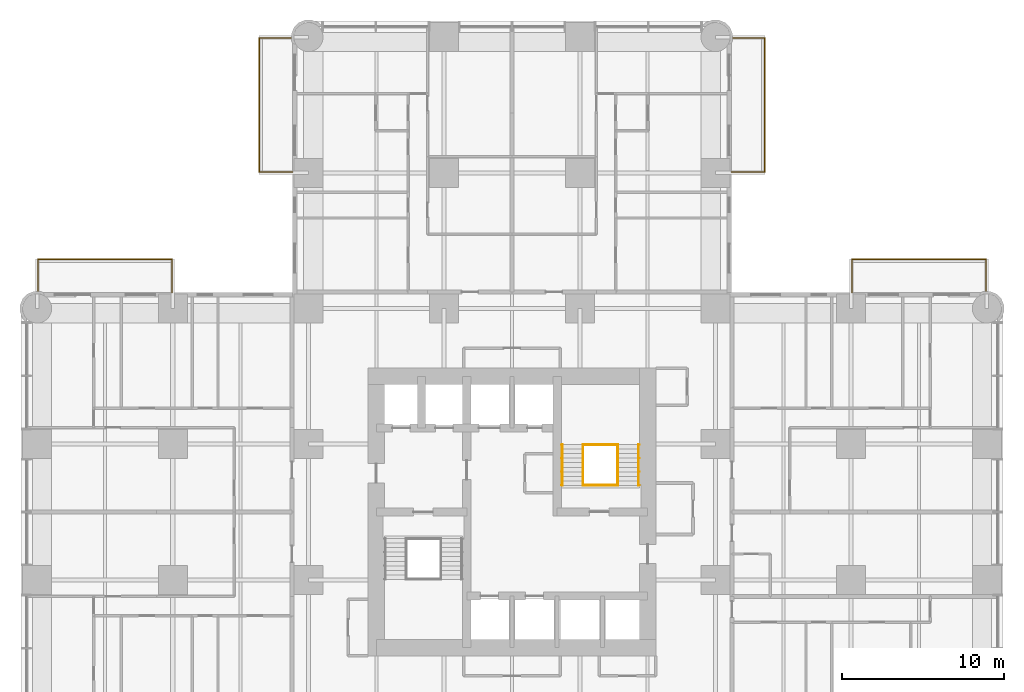
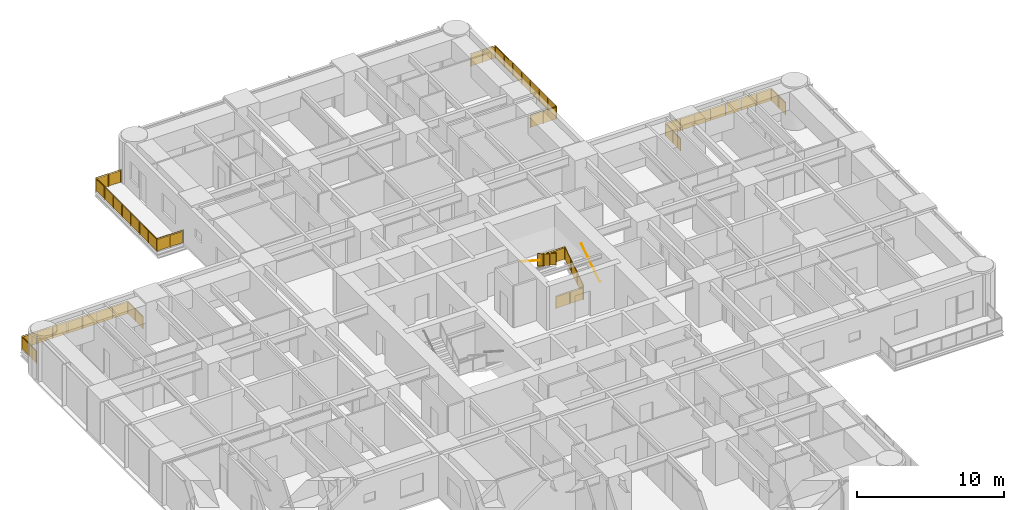
# One storey, part 17 of 17: 10 railings.
"""IFC4 building model written with IfcOpenShell, lengths in metres."""

from ifc_helpers import new_model, si_unit, direction, frame, origin, origin_2d, place, context, subcontext, project, spatial, polyline, circle, outline, extrude, material, constituent, constituent_set, type_object, element, save


model = new_model("IFC4")

# Units and contexts
model_context = context("Model", 3, precision=1e-05, world=origin(), true_north=direction((0.0, 1.0)))
body_context = subcontext(model_context, "Body", "Model", "MODEL_VIEW")
ifc_project = project(units=[si_unit("LENGTHUNIT", "METRE"), si_unit("AREAUNIT", "SQUARE_METRE"), si_unit("VOLUMEUNIT", "CUBIC_METRE"), si_unit("PLANEANGLEUNIT", "RADIAN"), si_unit("MASSUNIT", "GRAM", prefix="KILO")], contexts=[model_context])

# Site, building, storey
site_placement = place(None, origin())
site = spatial("IfcSite", under=ifc_project, at=site_placement, CompositionType="ELEMENT")
building_placement = place(site_placement, origin())
building = spatial("IfcBuilding", under=site, at=building_placement, Name="Torre Alcanfor", CompositionType="ELEMENT")
storey_placement = place(building_placement, frame((0.0, 0.0, 59.699951171875)))
storey = spatial("IfcBuildingStorey", under=building, at=storey_placement, Name="L14", CompositionType="ELEMENT", Elevation=59.699951171875)

# Railings
ifc_material_1 = material(Name="Laminated safety glass", Category="glass")
ifc_constituent_1 = constituent(ifc_material_1, Name="Infill")
ifc_material_2 = material(Name="Stainless steel ASTM A554 Grade MT 316L tube", Category="steel")
ifc_constituent_2 = constituent(ifc_material_2, Name="Posts and rail")
ifc_constituent_set = constituent_set(constituents=[ifc_constituent_1, ifc_constituent_2], Name="Balcony guard glass 1100")
railing_type_1 = type_object("IfcRailingType", Name="Balcony guard glass 1100", PredefinedType="BALUSTRADE", material=ifc_constituent_set)
railing_1_placement = place(storey_placement, frame((15.800048828125, 50.449951171875, 0.0)))
element("IfcRailing", 1, at=railing_1_placement, inside=storey, type_object=railing_type_1, Name="Balcony guard L14-N1", PredefinedType="BALUSTRADE", context=body_context, shape_type="SweptSolid", body=[
    extrude(circle(Radius=0.02392578125, at=origin_2d()), frame((0.0, 0.0, 1.076171875), z_axis=(-1.0, 0.0, 0.0), x_axis=(0.0, -1.0, 0.0)), (0.0, 0.0, 1.0), 2.050048828125),
    extrude(circle(Radius=0.02392578125, at=origin_2d()), frame((-2.050048828125, 0.0, 1.076171875), z_axis=(0.0, 1.0, 0.0), x_axis=(-1.0, 0.0, 0.0)), (0.0, 0.0, 1.0), 8.300048828125),
    extrude(circle(Radius=0.02392578125, at=origin_2d()), frame((-2.050048828125, 8.300048828125, 1.076171875), z_axis=(1.0, 0.0, 0.0), x_axis=(0.0, 1.0, 0.0)), (0.0, 0.0, 1.0), 1.968994140625),
    extrude(circle(Radius=0.02099609375, at=origin_2d()), origin(), (0.0, 0.0, 1.0), 1.052001953125),
    extrude(circle(Radius=0.02099609375, at=origin_2d()), frame((-1.02490234375, 0.0, 0.0)), (0.0, 0.0, 1.0), 1.052001953125),
    extrude(circle(Radius=0.02099609375, at=origin_2d()), frame((-2.050048828125, 0.0, 0.0)), (0.0, 0.0, 1.0), 1.052001953125),
    extrude(circle(Radius=0.02099609375, at=origin_2d()), frame((-2.050048828125, 1.185791015625, 0.0)), (0.0, 0.0, 1.0), 1.052001953125),
    extrude(circle(Radius=0.02099609375, at=origin_2d()), frame((-2.050048828125, 2.371337890625, 0.0)), (0.0, 0.0, 1.0), 1.052001953125),
    extrude(circle(Radius=0.02099609375, at=origin_2d()), frame((-2.050048828125, 3.55712890625, 0.0)), (0.0, 0.0, 1.0), 1.052001953125),
    extrude(circle(Radius=0.02099609375, at=origin_2d()), frame((-2.050048828125, 4.742919921875, 0.0)), (0.0, 0.0, 1.0), 1.052001953125),
    extrude(circle(Radius=0.02099609375, at=origin_2d()), frame((-2.050048828125, 5.9287109375, 0.0)), (0.0, 0.0, 1.0), 1.052001953125),
    extrude(circle(Radius=0.02099609375, at=origin_2d()), frame((-2.050048828125, 7.1142578125, 0.0)), (0.0, 0.0, 1.0), 1.052001953125),
    extrude(circle(Radius=0.02099609375, at=origin_2d()), frame((-2.050048828125, 8.300048828125, 0.0)), (0.0, 0.0, 1.0), 1.052001953125),
    extrude(circle(Radius=0.02099609375, at=origin_2d()), frame((-1.0654296875, 8.300048828125, 0.0)), (0.0, 0.0, 1.0), 1.052001953125),
    extrude(circle(Radius=0.02099609375, at=origin_2d()), frame((-0.0810546875, 8.300048828125, 0.0)), (0.0, 0.0, 1.0), 1.052001953125),
    extrude(outline(polyline([(0.041015625, 0.050048828125), (0.984130859375, 0.050048828125), (0.984130859375, 1.001953125), (0.041015625, 1.001953125), (0.041015625, 0.050048828125)])), frame((0.0, -0.005859375, 0.0), z_axis=(0.0, 1.0, 0.0), x_axis=(-1.0, 0.0, 0.0)), (0.0, 0.0, 1.0), 0.011962890625),
    extrude(outline(polyline([(1.06591796875, 0.050048828125), (2.009033203125, 0.050048828125), (2.009033203125, 1.001953125), (1.06591796875, 1.001953125), (1.06591796875, 0.050048828125)])), frame((0.0, -0.005859375, 0.0), z_axis=(0.0, 1.0, 0.0), x_axis=(-1.0, 0.0, 0.0)), (0.0, 0.0, 1.0), 0.011962890625),
    extrude(outline(polyline([(0.041015625, 0.050048828125), (1.144775390625, 0.050048828125), (1.144775390625, 1.001953125), (0.041015625, 1.001953125), (0.041015625, 0.050048828125)])), frame((-2.05615234375, 0.0, 0.0), z_axis=(1.0, 0.0, 0.0), x_axis=(0.0, 1.0, 0.0)), (0.0, 0.0, 1.0), 0.011962890625),
    extrude(outline(polyline([(1.226806640625, 0.050048828125), (2.330322265625, 0.050048828125), (2.330322265625, 1.001953125), (1.226806640625, 1.001953125), (1.226806640625, 0.050048828125)])), frame((-2.05615234375, 0.0, 0.0), z_axis=(1.0, 0.0, 0.0), x_axis=(0.0, 1.0, 0.0)), (0.0, 0.0, 1.0), 0.011962890625),
    extrude(outline(polyline([(2.412353515625, 0.050048828125), (3.51611328125, 0.050048828125), (3.51611328125, 1.001953125), (2.412353515625, 1.001953125), (2.412353515625, 0.050048828125)])), frame((-2.05615234375, 0.0, 0.0), z_axis=(1.0, 0.0, 0.0), x_axis=(0.0, 1.0, 0.0)), (0.0, 0.0, 1.0), 0.011962890625),
    extrude(outline(polyline([(3.59814453125, 0.050048828125), (4.701904296875, 0.050048828125), (4.701904296875, 1.001953125), (3.59814453125, 1.001953125), (3.59814453125, 0.050048828125)])), frame((-2.05615234375, 0.0, 0.0), z_axis=(1.0, 0.0, 0.0), x_axis=(0.0, 1.0, 0.0)), (0.0, 0.0, 1.0), 0.011962890625),
    extrude(outline(polyline([(4.783935546875, 0.050048828125), (5.8876953125, 0.050048828125), (5.8876953125, 1.001953125), (4.783935546875, 1.001953125), (4.783935546875, 0.050048828125)])), frame((-2.05615234375, 0.0, 0.0), z_axis=(1.0, 0.0, 0.0), x_axis=(0.0, 1.0, 0.0)), (0.0, 0.0, 1.0), 0.011962890625),
    extrude(outline(polyline([(5.9697265625, 0.050048828125), (7.0732421875, 0.050048828125), (7.0732421875, 1.001953125), (5.9697265625, 1.001953125), (5.9697265625, 0.050048828125)])), frame((-2.05615234375, 0.0, 0.0), z_axis=(1.0, 0.0, 0.0), x_axis=(0.0, 1.0, 0.0)), (0.0, 0.0, 1.0), 0.011962890625),
    extrude(outline(polyline([(7.1552734375, 0.050048828125), (8.259033203125, 0.050048828125), (8.259033203125, 1.001953125), (7.1552734375, 1.001953125), (7.1552734375, 0.050048828125)])), frame((-2.05615234375, 0.0, 0.0), z_axis=(1.0, 0.0, 0.0), x_axis=(0.0, 1.0, 0.0)), (0.0, 0.0, 1.0), 0.011962890625),
    extrude(outline(polyline([(0.041015625, 0.050048828125), (0.943603515625, 0.050048828125), (0.943603515625, 1.001953125), (0.041015625, 1.001953125), (0.041015625, 0.050048828125)])), frame((-2.050048828125, 8.30615234375, 0.0), z_axis=(0.0, -1.0, 0.0), x_axis=(1.0, 0.0, 0.0)), (0.0, 0.0, 1.0), 0.011962890625),
    extrude(outline(polyline([(1.025390625, 0.050048828125), (1.927978515625, 0.050048828125), (1.927978515625, 1.001953125), (1.025390625, 1.001953125), (1.025390625, 0.050048828125)])), frame((-2.050048828125, 8.30615234375, 0.0), z_axis=(0.0, -1.0, 0.0), x_axis=(1.0, 0.0, 0.0)), (0.0, 0.0, 1.0), 0.011962890625),
])
railing_2_placement = place(storey_placement, frame((43.0, 50.449951171875, 0.0)))
element("IfcRailing", 2, at=railing_2_placement, inside=storey, type_object=railing_type_1, Name="Balcony guard L14-N2", PredefinedType="BALUSTRADE", context=body_context, shape_type="SweptSolid", body=[
    extrude(circle(Radius=0.02392578125, at=origin_2d()), frame((0.0, 0.0, 1.076171875), z_axis=(1.0, 0.0, 0.0), x_axis=(0.0, 1.0, 0.0)), (0.0, 0.0, 1.0), 2.050048828125),
    extrude(circle(Radius=0.02392578125, at=origin_2d()), frame((2.050048828125, 0.0, 1.076171875), z_axis=(0.0, 1.0, 0.0), x_axis=(-1.0, 0.0, 0.0)), (0.0, 0.0, 1.0), 8.300048828125),
    extrude(circle(Radius=0.02392578125, at=origin_2d()), frame((2.050048828125, 8.300048828125, 1.076171875), z_axis=(-1.0, 0.0, 0.0), x_axis=(0.0, -1.0, 0.0)), (0.0, 0.0, 1.0), 1.968994140625),
    extrude(circle(Radius=0.02099609375, at=origin_2d()), origin(), (0.0, 0.0, 1.0), 1.052001953125),
    extrude(circle(Radius=0.02099609375, at=origin_2d()), frame((1.02490234375, 0.0, 0.0)), (0.0, 0.0, 1.0), 1.052001953125),
    extrude(circle(Radius=0.02099609375, at=origin_2d()), frame((2.050048828125, 0.0, 0.0)), (0.0, 0.0, 1.0), 1.052001953125),
    extrude(circle(Radius=0.02099609375, at=origin_2d()), frame((2.050048828125, 1.185791015625, 0.0)), (0.0, 0.0, 1.0), 1.052001953125),
    extrude(circle(Radius=0.02099609375, at=origin_2d()), frame((2.050048828125, 2.371337890625, 0.0)), (0.0, 0.0, 1.0), 1.052001953125),
    extrude(circle(Radius=0.02099609375, at=origin_2d()), frame((2.050048828125, 3.55712890625, 0.0)), (0.0, 0.0, 1.0), 1.052001953125),
    extrude(circle(Radius=0.02099609375, at=origin_2d()), frame((2.050048828125, 4.742919921875, 0.0)), (0.0, 0.0, 1.0), 1.052001953125),
    extrude(circle(Radius=0.02099609375, at=origin_2d()), frame((2.050048828125, 5.9287109375, 0.0)), (0.0, 0.0, 1.0), 1.052001953125),
    extrude(circle(Radius=0.02099609375, at=origin_2d()), frame((2.050048828125, 7.1142578125, 0.0)), (0.0, 0.0, 1.0), 1.052001953125),
    extrude(circle(Radius=0.02099609375, at=origin_2d()), frame((2.050048828125, 8.300048828125, 0.0)), (0.0, 0.0, 1.0), 1.052001953125),
    extrude(circle(Radius=0.02099609375, at=origin_2d()), frame((1.0654296875, 8.300048828125, 0.0)), (0.0, 0.0, 1.0), 1.052001953125),
    extrude(circle(Radius=0.02099609375, at=origin_2d()), frame((0.0810546875, 8.300048828125, 0.0)), (0.0, 0.0, 1.0), 1.052001953125),
    extrude(outline(polyline([(0.041015625, 0.050048828125), (0.984130859375, 0.050048828125), (0.984130859375, 1.001953125), (0.041015625, 1.001953125), (0.041015625, 0.050048828125)])), frame((0.0, 0.005859375, 0.0), z_axis=(0.0, -1.0, 0.0), x_axis=(1.0, 0.0, 0.0)), (0.0, 0.0, 1.0), 0.011962890625),
    extrude(outline(polyline([(1.06591796875, 0.050048828125), (2.009033203125, 0.050048828125), (2.009033203125, 1.001953125), (1.06591796875, 1.001953125), (1.06591796875, 0.050048828125)])), frame((0.0, 0.005859375, 0.0), z_axis=(0.0, -1.0, 0.0), x_axis=(1.0, 0.0, 0.0)), (0.0, 0.0, 1.0), 0.011962890625),
    extrude(outline(polyline([(0.041015625, 0.050048828125), (1.144775390625, 0.050048828125), (1.144775390625, 1.001953125), (0.041015625, 1.001953125), (0.041015625, 0.050048828125)])), frame((2.0439453125, 0.0, 0.0), z_axis=(1.0, 0.0, 0.0), x_axis=(0.0, 1.0, 0.0)), (0.0, 0.0, 1.0), 0.011962890625),
    extrude(outline(polyline([(1.226806640625, 0.050048828125), (2.330322265625, 0.050048828125), (2.330322265625, 1.001953125), (1.226806640625, 1.001953125), (1.226806640625, 0.050048828125)])), frame((2.0439453125, 0.0, 0.0), z_axis=(1.0, 0.0, 0.0), x_axis=(0.0, 1.0, 0.0)), (0.0, 0.0, 1.0), 0.011962890625),
    extrude(outline(polyline([(2.412353515625, 0.050048828125), (3.51611328125, 0.050048828125), (3.51611328125, 1.001953125), (2.412353515625, 1.001953125), (2.412353515625, 0.050048828125)])), frame((2.0439453125, 0.0, 0.0), z_axis=(1.0, 0.0, 0.0), x_axis=(0.0, 1.0, 0.0)), (0.0, 0.0, 1.0), 0.011962890625),
    extrude(outline(polyline([(3.59814453125, 0.050048828125), (4.701904296875, 0.050048828125), (4.701904296875, 1.001953125), (3.59814453125, 1.001953125), (3.59814453125, 0.050048828125)])), frame((2.0439453125, 0.0, 0.0), z_axis=(1.0, 0.0, 0.0), x_axis=(0.0, 1.0, 0.0)), (0.0, 0.0, 1.0), 0.011962890625),
    extrude(outline(polyline([(4.783935546875, 0.050048828125), (5.8876953125, 0.050048828125), (5.8876953125, 1.001953125), (4.783935546875, 1.001953125), (4.783935546875, 0.050048828125)])), frame((2.0439453125, 0.0, 0.0), z_axis=(1.0, 0.0, 0.0), x_axis=(0.0, 1.0, 0.0)), (0.0, 0.0, 1.0), 0.011962890625),
    extrude(outline(polyline([(5.9697265625, 0.050048828125), (7.0732421875, 0.050048828125), (7.0732421875, 1.001953125), (5.9697265625, 1.001953125), (5.9697265625, 0.050048828125)])), frame((2.0439453125, 0.0, 0.0), z_axis=(1.0, 0.0, 0.0), x_axis=(0.0, 1.0, 0.0)), (0.0, 0.0, 1.0), 0.011962890625),
    extrude(outline(polyline([(7.1552734375, 0.050048828125), (8.259033203125, 0.050048828125), (8.259033203125, 1.001953125), (7.1552734375, 1.001953125), (7.1552734375, 0.050048828125)])), frame((2.0439453125, 0.0, 0.0), z_axis=(1.0, 0.0, 0.0), x_axis=(0.0, 1.0, 0.0)), (0.0, 0.0, 1.0), 0.011962890625),
    extrude(outline(polyline([(0.041015625, 0.050048828125), (0.943603515625, 0.050048828125), (0.943603515625, 1.001953125), (0.041015625, 1.001953125), (0.041015625, 0.050048828125)])), frame((2.050048828125, 8.2939453125, 0.0), z_axis=(0.0, 1.0, 0.0), x_axis=(-1.0, 0.0, 0.0)), (0.0, 0.0, 1.0), 0.011962890625),
    extrude(outline(polyline([(1.025390625, 0.050048828125), (1.927978515625, 0.050048828125), (1.927978515625, 1.001953125), (1.025390625, 1.001953125), (1.025390625, 0.050048828125)])), frame((2.050048828125, 8.2939453125, 0.0), z_axis=(0.0, 1.0, 0.0), x_axis=(-1.0, 0.0, 0.0)), (0.0, 0.0, 1.0), 0.011962890625),
])
railing_3_placement = place(storey_placement, frame((50.449951171875, 43.0, 0.0)))
element("IfcRailing", 3, at=railing_3_placement, inside=storey, type_object=railing_type_1, Name="Balcony guard L14-E1", PredefinedType="BALUSTRADE", context=body_context, shape_type="SweptSolid", body=[
    extrude(circle(Radius=0.02392578125, at=origin_2d()), frame((0.0, 0.0, 1.076171875), z_axis=(0.0, 1.0, 0.0), x_axis=(-1.0, 0.0, 0.0)), (0.0, 0.0, 1.0), 2.050048828125),
    extrude(circle(Radius=0.02392578125, at=origin_2d()), frame((0.0, 2.050048828125, 1.076171875), z_axis=(1.0, 0.0, 0.0), x_axis=(0.0, 1.0, 0.0)), (0.0, 0.0, 1.0), 8.300048828125),
    extrude(circle(Radius=0.02392578125, at=origin_2d()), frame((8.300048828125, 2.050048828125, 1.076171875), z_axis=(0.0, -1.0, 0.0), x_axis=(1.0, 0.0, 0.0)), (0.0, 0.0, 1.0), 1.968994140625),
    extrude(circle(Radius=0.02099609375, at=origin_2d()), origin(), (0.0, 0.0, 1.0), 1.052001953125),
    extrude(circle(Radius=0.02099609375, at=origin_2d()), frame((0.0, 1.02490234375, 0.0)), (0.0, 0.0, 1.0), 1.052001953125),
    extrude(circle(Radius=0.02099609375, at=origin_2d()), frame((0.0, 2.050048828125, 0.0)), (0.0, 0.0, 1.0), 1.052001953125),
    extrude(circle(Radius=0.02099609375, at=origin_2d()), frame((1.185791015625, 2.050048828125, 0.0)), (0.0, 0.0, 1.0), 1.052001953125),
    extrude(circle(Radius=0.02099609375, at=origin_2d()), frame((2.371337890625, 2.050048828125, 0.0)), (0.0, 0.0, 1.0), 1.052001953125),
    extrude(circle(Radius=0.02099609375, at=origin_2d()), frame((3.55712890625, 2.050048828125, 0.0)), (0.0, 0.0, 1.0), 1.052001953125),
    extrude(circle(Radius=0.02099609375, at=origin_2d()), frame((4.742919921875, 2.050048828125, 0.0)), (0.0, 0.0, 1.0), 1.052001953125),
    extrude(circle(Radius=0.02099609375, at=origin_2d()), frame((5.9287109375, 2.050048828125, 0.0)), (0.0, 0.0, 1.0), 1.052001953125),
    extrude(circle(Radius=0.02099609375, at=origin_2d()), frame((7.1142578125, 2.050048828125, 0.0)), (0.0, 0.0, 1.0), 1.052001953125),
    extrude(circle(Radius=0.02099609375, at=origin_2d()), frame((8.300048828125, 2.050048828125, 0.0)), (0.0, 0.0, 1.0), 1.052001953125),
    extrude(circle(Radius=0.02099609375, at=origin_2d()), frame((8.300048828125, 1.0654296875, 0.0)), (0.0, 0.0, 1.0), 1.052001953125),
    extrude(circle(Radius=0.02099609375, at=origin_2d()), frame((8.300048828125, 0.0810546875, 0.0)), (0.0, 0.0, 1.0), 1.052001953125),
    extrude(outline(polyline([(0.041015625, 0.050048828125), (0.984130859375, 0.050048828125), (0.984130859375, 1.001953125), (0.041015625, 1.001953125), (0.041015625, 0.050048828125)])), frame((-0.005859375, 0.0, 0.0), z_axis=(1.0, 0.0, 0.0), x_axis=(0.0, 1.0, 0.0)), (0.0, 0.0, 1.0), 0.011962890625),
    extrude(outline(polyline([(1.06591796875, 0.050048828125), (2.009033203125, 0.050048828125), (2.009033203125, 1.001953125), (1.06591796875, 1.001953125), (1.06591796875, 0.050048828125)])), frame((-0.005859375, 0.0, 0.0), z_axis=(1.0, 0.0, 0.0), x_axis=(0.0, 1.0, 0.0)), (0.0, 0.0, 1.0), 0.011962890625),
    extrude(outline(polyline([(0.041015625, 0.050048828125), (1.144775390625, 0.050048828125), (1.144775390625, 1.001953125), (0.041015625, 1.001953125), (0.041015625, 0.050048828125)])), frame((0.0, 2.05615234375, 0.0), z_axis=(0.0, -1.0, 0.0), x_axis=(1.0, 0.0, 0.0)), (0.0, 0.0, 1.0), 0.011962890625),
    extrude(outline(polyline([(1.226806640625, 0.050048828125), (2.330322265625, 0.050048828125), (2.330322265625, 1.001953125), (1.226806640625, 1.001953125), (1.226806640625, 0.050048828125)])), frame((0.0, 2.05615234375, 0.0), z_axis=(0.0, -1.0, 0.0), x_axis=(1.0, 0.0, 0.0)), (0.0, 0.0, 1.0), 0.011962890625),
    extrude(outline(polyline([(2.412353515625, 0.050048828125), (3.51611328125, 0.050048828125), (3.51611328125, 1.001953125), (2.412353515625, 1.001953125), (2.412353515625, 0.050048828125)])), frame((0.0, 2.05615234375, 0.0), z_axis=(0.0, -1.0, 0.0), x_axis=(1.0, 0.0, 0.0)), (0.0, 0.0, 1.0), 0.011962890625),
    extrude(outline(polyline([(3.59814453125, 0.050048828125), (4.701904296875, 0.050048828125), (4.701904296875, 1.001953125), (3.59814453125, 1.001953125), (3.59814453125, 0.050048828125)])), frame((0.0, 2.05615234375, 0.0), z_axis=(0.0, -1.0, 0.0), x_axis=(1.0, 0.0, 0.0)), (0.0, 0.0, 1.0), 0.011962890625),
    extrude(outline(polyline([(4.783935546875, 0.050048828125), (5.8876953125, 0.050048828125), (5.8876953125, 1.001953125), (4.783935546875, 1.001953125), (4.783935546875, 0.050048828125)])), frame((0.0, 2.05615234375, 0.0), z_axis=(0.0, -1.0, 0.0), x_axis=(1.0, 0.0, 0.0)), (0.0, 0.0, 1.0), 0.011962890625),
    extrude(outline(polyline([(5.9697265625, 0.050048828125), (7.0732421875, 0.050048828125), (7.0732421875, 1.001953125), (5.9697265625, 1.001953125), (5.9697265625, 0.050048828125)])), frame((0.0, 2.05615234375, 0.0), z_axis=(0.0, -1.0, 0.0), x_axis=(1.0, 0.0, 0.0)), (0.0, 0.0, 1.0), 0.011962890625),
    extrude(outline(polyline([(7.1552734375, 0.050048828125), (8.259033203125, 0.050048828125), (8.259033203125, 1.001953125), (7.1552734375, 1.001953125), (7.1552734375, 0.050048828125)])), frame((0.0, 2.05615234375, 0.0), z_axis=(0.0, -1.0, 0.0), x_axis=(1.0, 0.0, 0.0)), (0.0, 0.0, 1.0), 0.011962890625),
    extrude(outline(polyline([(0.041015625, 0.050048828125), (0.943603515625, 0.050048828125), (0.943603515625, 1.001953125), (0.041015625, 1.001953125), (0.041015625, 0.050048828125)])), frame((8.30615234375, 2.050048828125, 0.0), z_axis=(-1.0, 0.0, 0.0), x_axis=(0.0, -1.0, 0.0)), (0.0, 0.0, 1.0), 0.011962890625),
    extrude(outline(polyline([(1.025390625, 0.050048828125), (1.927978515625, 0.050048828125), (1.927978515625, 1.001953125), (1.025390625, 1.001953125), (1.025390625, 0.050048828125)])), frame((8.30615234375, 2.050048828125, 0.0), z_axis=(-1.0, 0.0, 0.0), x_axis=(0.0, -1.0, 0.0)), (0.0, 0.0, 1.0), 0.011962890625),
])
railing_4_placement = place(storey_placement, frame((8.35009765625, 43.0, 0.0)))
element("IfcRailing", 4, at=railing_4_placement, inside=storey, type_object=railing_type_1, Name="Balcony guard L14-W2", PredefinedType="BALUSTRADE", context=body_context, shape_type="SweptSolid", body=[
    extrude(circle(Radius=0.02392578125, at=origin_2d()), frame((0.0, 0.0, 1.076171875), z_axis=(0.0, 1.0, 0.0), x_axis=(-1.0, 0.0, 0.0)), (0.0, 0.0, 1.0), 2.050048828125),
    extrude(circle(Radius=0.02392578125, at=origin_2d()), frame((0.0, 2.050048828125, 1.076171875), z_axis=(-1.0, 0.0, 0.0), x_axis=(0.0, -1.0, 0.0)), (0.0, 0.0, 1.0), 8.300048828125),
    extrude(circle(Radius=0.02392578125, at=origin_2d()), frame((-8.300048828125, 2.050048828125, 1.076171875), z_axis=(0.0, -1.0, 0.0), x_axis=(1.0, 0.0, 0.0)), (0.0, 0.0, 1.0), 1.968994140625),
    extrude(circle(Radius=0.02099609375, at=origin_2d()), origin(), (0.0, 0.0, 1.0), 1.052001953125),
    extrude(circle(Radius=0.02099609375, at=origin_2d()), frame((0.0, 1.02490234375, 0.0)), (0.0, 0.0, 1.0), 1.052001953125),
    extrude(circle(Radius=0.02099609375, at=origin_2d()), frame((0.0, 2.050048828125, 0.0)), (0.0, 0.0, 1.0), 1.052001953125),
    extrude(circle(Radius=0.02099609375, at=origin_2d()), frame((-1.185791015625, 2.050048828125, 0.0)), (0.0, 0.0, 1.0), 1.052001953125),
    extrude(circle(Radius=0.02099609375, at=origin_2d()), frame((-2.371337890625, 2.050048828125, 0.0)), (0.0, 0.0, 1.0), 1.052001953125),
    extrude(circle(Radius=0.02099609375, at=origin_2d()), frame((-3.55712890625, 2.050048828125, 0.0)), (0.0, 0.0, 1.0), 1.052001953125),
    extrude(circle(Radius=0.02099609375, at=origin_2d()), frame((-4.742919921875, 2.050048828125, 0.0)), (0.0, 0.0, 1.0), 1.052001953125),
    extrude(circle(Radius=0.02099609375, at=origin_2d()), frame((-5.9287109375, 2.050048828125, 0.0)), (0.0, 0.0, 1.0), 1.052001953125),
    extrude(circle(Radius=0.02099609375, at=origin_2d()), frame((-7.1142578125, 2.050048828125, 0.0)), (0.0, 0.0, 1.0), 1.052001953125),
    extrude(circle(Radius=0.02099609375, at=origin_2d()), frame((-8.300048828125, 2.050048828125, 0.0)), (0.0, 0.0, 1.0), 1.052001953125),
    extrude(circle(Radius=0.02099609375, at=origin_2d()), frame((-8.300048828125, 1.0654296875, 0.0)), (0.0, 0.0, 1.0), 1.052001953125),
    extrude(circle(Radius=0.02099609375, at=origin_2d()), frame((-8.300048828125, 0.0810546875, 0.0)), (0.0, 0.0, 1.0), 1.052001953125),
    extrude(outline(polyline([(0.041015625, 0.050048828125), (0.984130859375, 0.050048828125), (0.984130859375, 1.001953125), (0.041015625, 1.001953125), (0.041015625, 0.050048828125)])), frame((-0.005859375, 0.0, 0.0), z_axis=(1.0, 0.0, 0.0), x_axis=(0.0, 1.0, 0.0)), (0.0, 0.0, 1.0), 0.011962890625),
    extrude(outline(polyline([(1.06591796875, 0.050048828125), (2.009033203125, 0.050048828125), (2.009033203125, 1.001953125), (1.06591796875, 1.001953125), (1.06591796875, 0.050048828125)])), frame((-0.005859375, 0.0, 0.0), z_axis=(1.0, 0.0, 0.0), x_axis=(0.0, 1.0, 0.0)), (0.0, 0.0, 1.0), 0.011962890625),
    extrude(outline(polyline([(0.041015625, 0.050048828125), (1.144775390625, 0.050048828125), (1.144775390625, 1.001953125), (0.041015625, 1.001953125), (0.041015625, 0.050048828125)])), frame((0.0, 2.0439453125, 0.0), z_axis=(0.0, 1.0, 0.0), x_axis=(-1.0, 0.0, 0.0)), (0.0, 0.0, 1.0), 0.011962890625),
    extrude(outline(polyline([(1.226806640625, 0.050048828125), (2.330322265625, 0.050048828125), (2.330322265625, 1.001953125), (1.226806640625, 1.001953125), (1.226806640625, 0.050048828125)])), frame((0.0, 2.0439453125, 0.0), z_axis=(0.0, 1.0, 0.0), x_axis=(-1.0, 0.0, 0.0)), (0.0, 0.0, 1.0), 0.011962890625),
    extrude(outline(polyline([(2.412353515625, 0.050048828125), (3.51611328125, 0.050048828125), (3.51611328125, 1.001953125), (2.412353515625, 1.001953125), (2.412353515625, 0.050048828125)])), frame((0.0, 2.0439453125, 0.0), z_axis=(0.0, 1.0, 0.0), x_axis=(-1.0, 0.0, 0.0)), (0.0, 0.0, 1.0), 0.011962890625),
    extrude(outline(polyline([(3.59814453125, 0.050048828125), (4.701904296875, 0.050048828125), (4.701904296875, 1.001953125), (3.59814453125, 1.001953125), (3.59814453125, 0.050048828125)])), frame((0.0, 2.0439453125, 0.0), z_axis=(0.0, 1.0, 0.0), x_axis=(-1.0, 0.0, 0.0)), (0.0, 0.0, 1.0), 0.011962890625),
    extrude(outline(polyline([(4.783935546875, 0.050048828125), (5.8876953125, 0.050048828125), (5.8876953125, 1.001953125), (4.783935546875, 1.001953125), (4.783935546875, 0.050048828125)])), frame((0.0, 2.0439453125, 0.0), z_axis=(0.0, 1.0, 0.0), x_axis=(-1.0, 0.0, 0.0)), (0.0, 0.0, 1.0), 0.011962890625),
    extrude(outline(polyline([(5.9697265625, 0.050048828125), (7.0732421875, 0.050048828125), (7.0732421875, 1.001953125), (5.9697265625, 1.001953125), (5.9697265625, 0.050048828125)])), frame((0.0, 2.0439453125, 0.0), z_axis=(0.0, 1.0, 0.0), x_axis=(-1.0, 0.0, 0.0)), (0.0, 0.0, 1.0), 0.011962890625),
    extrude(outline(polyline([(7.1552734375, 0.050048828125), (8.259033203125, 0.050048828125), (8.259033203125, 1.001953125), (7.1552734375, 1.001953125), (7.1552734375, 0.050048828125)])), frame((0.0, 2.0439453125, 0.0), z_axis=(0.0, 1.0, 0.0), x_axis=(-1.0, 0.0, 0.0)), (0.0, 0.0, 1.0), 0.011962890625),
    extrude(outline(polyline([(0.041015625, 0.050048828125), (0.943603515625, 0.050048828125), (0.943603515625, 1.001953125), (0.041015625, 1.001953125), (0.041015625, 0.050048828125)])), frame((-8.2939453125, 2.050048828125, 0.0), z_axis=(-1.0, 0.0, 0.0), x_axis=(0.0, -1.0, 0.0)), (0.0, 0.0, 1.0), 0.011962890625),
    extrude(outline(polyline([(1.025390625, 0.050048828125), (1.927978515625, 0.050048828125), (1.927978515625, 1.001953125), (1.025390625, 1.001953125), (1.025390625, 0.050048828125)])), frame((-8.2939453125, 2.050048828125, 0.0), z_axis=(-1.0, 0.0, 0.0), x_axis=(0.0, -1.0, 0.0)), (0.0, 0.0, 1.0), 0.011962890625),
])
ifc_material_3 = material(Name="Steel ASTM A500 Grade C hollow sections", Category="steel")
railing_type_2 = type_object("IfcRailingType", Name="Stair guard and handrail 1100", PredefinedType="GUARDRAIL", material=ifc_material_3)
railing_5_placement = place(storey_placement, frame((35.949951171875, 31.050048828125, 0.179931640625)))
element("IfcRailing", 5, at=railing_5_placement, inside=storey, type_object=railing_type_2, Name="Stair guard S2 L14 flight 1", PredefinedType="GUARDRAIL", context=body_context, shape_type="SweptSolid", body=[
    extrude(circle(Radius=0.02392578125, at=origin_2d()), frame((0.0, 0.0, 1.076171875), z_axis=(0.0, 0.841162588446, 0.540782303519), x_axis=(-1.0, 0.0, 0.0)), (0.0, 0.0, 1.0), 2.995849609375),
    extrude(circle(Radius=0.02099609375, at=origin_2d()), origin(), (0.0, 0.0, 1.0), 1.052001953125),
    extrude(circle(Radius=0.02099609375, at=origin_2d()), frame((0.0, 0.840087890625, 0.5400390625)), (0.0, 0.0, 1.0), 1.052001953125),
    extrude(circle(Radius=0.02099609375, at=origin_2d()), frame((0.0, 1.679931640625, 1.080078125)), (0.0, 0.0, 1.0), 1.052001953125),
    extrude(circle(Radius=0.02099609375, at=origin_2d()), frame((0.0, 2.52001953125, 1.6201171875)), (0.0, 0.0, 1.0), 1.052001953125),
    extrude(outline(polyline([(0.041015625, 0.076416015625), (0.799072265625, 0.563720703125), (0.799072265625, 1.515625), (0.041015625, 1.0283203125), (0.041015625, 0.076416015625)])), frame((-0.005859375, 0.0, 0.0), z_axis=(1.0, 0.0, 0.0), x_axis=(0.0, 1.0, 0.0)), (0.0, 0.0, 1.0), 0.011962890625),
    extrude(outline(polyline([(0.881103515625, 0.616455078125), (1.638916015625, 1.103759765625), (1.638916015625, 2.0556640625), (0.881103515625, 1.568359375), (0.881103515625, 0.616455078125)])), frame((-0.005859375, 0.0, 0.0), z_axis=(1.0, 0.0, 0.0), x_axis=(0.0, 1.0, 0.0)), (0.0, 0.0, 1.0), 0.011962890625),
    extrude(outline(polyline([(1.720947265625, 1.156494140625), (2.47900390625, 1.643798828125), (2.47900390625, 2.595703125), (1.720947265625, 2.1083984375), (1.720947265625, 1.156494140625)])), frame((-0.005859375, 0.0, 0.0), z_axis=(1.0, 0.0, 0.0), x_axis=(0.0, 1.0, 0.0)), (0.0, 0.0, 1.0), 0.011962890625),
])
railing_6_placement = place(storey_placement, frame((33.800048828125, 33.570068359375, 1.97998046875)))
element("IfcRailing", 6, at=railing_6_placement, inside=storey, type_object=railing_type_2, Name="Stair guard S2 L14 flight 2", PredefinedType="GUARDRAIL", context=body_context, shape_type="SweptSolid", body=[
    extrude(circle(Radius=0.02392578125, at=origin_2d()), frame((0.0, 0.0, 1.076171875), z_axis=(0.0, -0.841162588446, 0.540782303519), x_axis=(1.0, 0.0, 0.0)), (0.0, 0.0, 1.0), 2.995849609375),
    extrude(circle(Radius=0.02099609375, at=origin_2d()), origin(), (0.0, 0.0, 1.0), 1.052001953125),
    extrude(circle(Radius=0.02099609375, at=origin_2d()), frame((0.0, -0.840087890625, 0.5400390625)), (0.0, 0.0, 1.0), 1.052001953125),
    extrude(circle(Radius=0.02099609375, at=origin_2d()), frame((0.0, -1.679931640625, 1.080078125)), (0.0, 0.0, 1.0), 1.052001953125),
    extrude(circle(Radius=0.02099609375, at=origin_2d()), frame((0.0, -2.52001953125, 1.6201171875)), (0.0, 0.0, 1.0), 1.052001953125),
    extrude(outline(polyline([(0.041015625, 0.076416015625), (0.799072265625, 0.563720703125), (0.799072265625, 1.515625), (0.041015625, 1.0283203125), (0.041015625, 0.076416015625)])), frame((0.005859375, 0.0, 0.0), z_axis=(-1.0, 0.0, 0.0), x_axis=(0.0, -1.0, 0.0)), (0.0, 0.0, 1.0), 0.011962890625),
    extrude(outline(polyline([(0.881103515625, 0.616455078125), (1.638916015625, 1.103759765625), (1.638916015625, 2.0556640625), (0.881103515625, 1.568359375), (0.881103515625, 0.616455078125)])), frame((0.005859375, 0.0, 0.0), z_axis=(-1.0, 0.0, 0.0), x_axis=(0.0, -1.0, 0.0)), (0.0, 0.0, 1.0), 0.011962890625),
    extrude(outline(polyline([(1.720947265625, 1.156494140625), (2.47900390625, 1.643798828125), (2.47900390625, 2.595703125), (1.720947265625, 2.1083984375), (1.720947265625, 1.156494140625)])), frame((0.005859375, 0.0, 0.0), z_axis=(-1.0, 0.0, 0.0), x_axis=(0.0, -1.0, 0.0)), (0.0, 0.0, 1.0), 0.011962890625),
])
for number, where, name in (
    (7, (33.800048828125, 31.050048828125, 0.0), "Stair well guard S2 L14 floor landing"),
    (8, (33.800048828125, 33.570068359375, 1.800048828125), "Stair well guard S2 L14 half landing"),
):
    element("IfcRailing", number, at=place(storey_placement, frame(where)), inside=storey, type_object=railing_type_2, Name=name, PredefinedType="GUARDRAIL", context=body_context, shape_type="SweptSolid", body=[
        extrude(circle(Radius=0.02392578125, at=origin_2d()), frame((0.0, 0.0, 1.076171875), z_axis=(1.0, 0.0, 0.0), x_axis=(0.0, 1.0, 0.0)), (0.0, 0.0, 1.0), 2.14990234375),
        extrude(circle(Radius=0.02099609375, at=origin_2d()), origin(), (0.0, 0.0, 1.0), 1.052001953125),
        extrude(circle(Radius=0.02099609375, at=origin_2d()), frame((1.074951171875, 0.0, 0.0)), (0.0, 0.0, 1.0), 1.052001953125),
        extrude(circle(Radius=0.02099609375, at=origin_2d()), frame((2.14990234375, 0.0, 0.0)), (0.0, 0.0, 1.0), 1.052001953125),
        extrude(outline(polyline([(0.041015625, 0.050048828125), (1.033935546875, 0.050048828125), (1.033935546875, 1.001953125), (0.041015625, 1.001953125), (0.041015625, 0.050048828125)])), frame((0.0, 0.005859375, 0.0), z_axis=(0.0, -1.0, 0.0), x_axis=(1.0, 0.0, 0.0)), (0.0, 0.0, 1.0), 0.011962890625),
        extrude(outline(polyline([(1.115966796875, 0.050048828125), (2.10888671875, 0.050048828125), (2.10888671875, 1.001953125), (1.115966796875, 1.001953125), (1.115966796875, 0.050048828125)])), frame((0.0, 0.005859375, 0.0), z_axis=(0.0, -1.0, 0.0), x_axis=(1.0, 0.0, 0.0)), (0.0, 0.0, 1.0), 0.011962890625),
    ])
ifc_material_4 = material(Name="Steel ASTM A500 Grade C hollow sections", Category="steel")
railing_type_3 = type_object("IfcRailingType", Name="Stair wall handrail 900", PredefinedType="HANDRAIL", material=ifc_material_4)
railing_7_placement = place(storey_placement, frame((37.235107421875, 31.050048828125, 0.179931640625)))
element("IfcRailing", 9, at=railing_7_placement, inside=storey, type_object=railing_type_3, Name="Stair handrail S2 L14 flight 1", PredefinedType="HANDRAIL", context=body_context, shape_type="SweptSolid", body=[
    extrude(circle(Radius=0.02392578125, at=origin_2d()), frame((0.0, 0.0, 0.8759765625), z_axis=(0.0, 0.841162588446, 0.540782303519), x_axis=(-1.0, 0.0, 0.0)), (0.0, 0.0, 1.0), 2.995849609375),
    extrude(circle(Radius=0.008056640625, at=origin_2d()), frame((0.0, 0.0, 0.8759765625), z_axis=(1.0, 0.0, 0.0), x_axis=(0.0, 0.0, 1.0)), (0.0, 0.0, 1.0), 0.06494140625),
    extrude(circle(Radius=0.008056640625, at=origin_2d()), frame((0.0, 0.840087890625, 1.416015625), z_axis=(1.0, 0.0, 0.0), x_axis=(0.0, 0.0, 1.0)), (0.0, 0.0, 1.0), 0.06494140625),
    extrude(circle(Radius=0.008056640625, at=origin_2d()), frame((0.0, 1.679931640625, 1.9560546875), z_axis=(1.0, 0.0, 0.0), x_axis=(0.0, 0.0, 1.0)), (0.0, 0.0, 1.0), 0.06494140625),
    extrude(circle(Radius=0.008056640625, at=origin_2d()), frame((0.0, 2.52001953125, 2.49609375), z_axis=(1.0, 0.0, 0.0), x_axis=(0.0, 0.0, 1.0)), (0.0, 0.0, 1.0), 0.06494140625),
])
railing_8_placement = place(storey_placement, frame((32.514892578125, 33.570068359375, 1.97998046875)))
element("IfcRailing", 10, at=railing_8_placement, inside=storey, type_object=railing_type_3, Name="Stair handrail S2 L14 flight 2", PredefinedType="HANDRAIL", context=body_context, shape_type="SweptSolid", body=[
    extrude(circle(Radius=0.02392578125, at=origin_2d()), frame((0.0, 0.0, 0.8759765625), z_axis=(0.0, -0.841162588446, 0.540782303519), x_axis=(1.0, 0.0, 0.0)), (0.0, 0.0, 1.0), 2.995849609375),
    extrude(circle(Radius=0.008056640625, at=origin_2d()), frame((0.0, 0.0, 0.8759765625), z_axis=(-1.0, 0.0, 0.0), x_axis=(0.0, 0.0, 1.0)), (0.0, 0.0, 1.0), 0.06494140625),
    extrude(circle(Radius=0.008056640625, at=origin_2d()), frame((0.0, -0.840087890625, 1.416015625), z_axis=(-1.0, 0.0, 0.0), x_axis=(0.0, 0.0, 1.0)), (0.0, 0.0, 1.0), 0.06494140625),
    extrude(circle(Radius=0.008056640625, at=origin_2d()), frame((0.0, -1.679931640625, 1.9560546875), z_axis=(-1.0, 0.0, 0.0), x_axis=(0.0, 0.0, 1.0)), (0.0, 0.0, 1.0), 0.06494140625),
    extrude(circle(Radius=0.008056640625, at=origin_2d()), frame((0.0, -2.52001953125, 2.49609375), z_axis=(-1.0, 0.0, 0.0), x_axis=(0.0, 0.0, 1.0)), (0.0, 0.0, 1.0), 0.06494140625),
])

save(model, "model.ifc")
